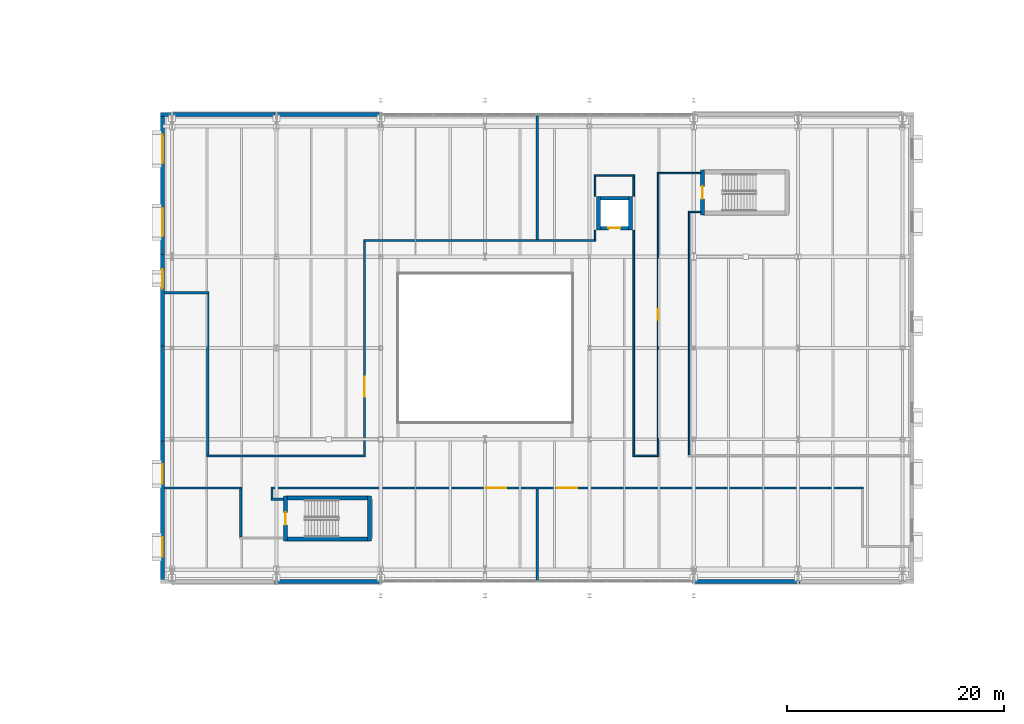
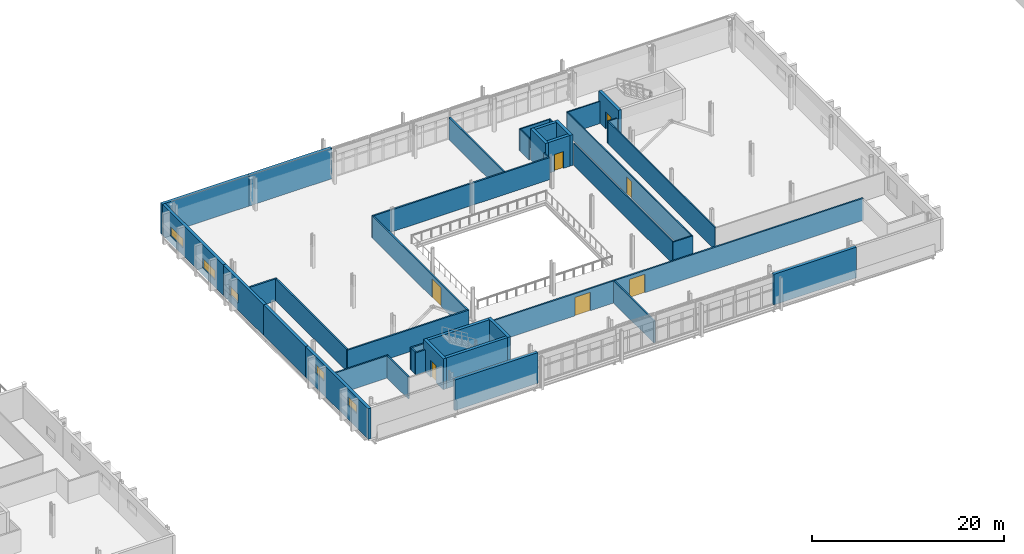
# One storey, part 44 of 57: 39 walls, 7 doors, 5 windows, 12 openings.
"""IFC4 building model written with IfcOpenShell, lengths in metres."""

import ifcopenshell
import ifcopenshell.guid

model = None  # the IFC model being written
_history = None  # IfcOwnerHistory: only IFC2X3 demands one
_inside = {}  # id of a spatial element -> (the spatial element, [elements in it])
_under = {}  # id of a project, library or spatial element -> (it, [spatial elements below it])
_declared = {}  # id of a project -> (the project, [libraries it declares])
_typed = {}  # id of a type object -> (the type object, [elements of that type])
_made_of = {}  # id of a material, layer set ... -> (it, [elements and type objects made of it])


def new_model(schema):
    """Start an empty IFC model of exactly this schema.

    Asked for "IFC4X3", IfcOpenShell would pick the latest addendum, in which some entities
    have other attributes; the version numbers below select the first issue.
    IFC2X3 requires an IfcOwnerHistory on every rooted entity: one is made here for all.
    """
    global model, _history
    if schema == "IFC4X3":
        model = ifcopenshell.file(schema_version=(4, 3, 0, 0))
    else:
        model = ifcopenshell.file(schema=schema)
    _inside.clear()
    _under.clear()
    _declared.clear()
    _typed.clear()
    _made_of.clear()
    _history = None
    if model.schema == "IFC2X3":
        org = make("IfcOrganization", Name="unknown")
        user = make(
            "IfcPersonAndOrganization",
            ThePerson=make("IfcPerson", FamilyName="unknown"),
            TheOrganization=org,
        )
        app = make(
            "IfcApplication",
            ApplicationDeveloper=org,
            Version="unknown",
            ApplicationFullName="unknown",
            ApplicationIdentifier="unknown",
        )
        _history = make(
            "IfcOwnerHistory",
            OwningUser=user,
            OwningApplication=app,
            ChangeAction="ADDED",
            CreationDate=0,
        )
    return model


def make(cls, **values):
    """One entity of the class cls with the attributes given. An attribute that is None is left unset."""
    return model.create_entity(
        cls, **{name: value for name, value in values.items() if value is not None}
    )


def rooted(cls, **values):
    """An entity with a GlobalId (a new one), such as an element, a storey or a relation."""
    return make(cls, GlobalId=ifcopenshell.guid.new(), OwnerHistory=_history, **values)


def si_unit(unit_type, name, prefix=None):
    """IfcSIUnit, for example si_unit("LENGTHUNIT", "METRE", prefix="MILLI")."""
    return make("IfcSIUnit", UnitType=unit_type, Prefix=prefix, Name=name)


def assignment(units):
    """IfcUnitAssignment: the units of a project."""
    return None if units is None else make("IfcUnitAssignment", Units=units)


def point(xyz):
    """IfcCartesianPoint."""
    return None if xyz is None else make("IfcCartesianPoint", Coordinates=xyz)


def direction(xyz):
    """IfcDirection."""
    return None if xyz is None else make("IfcDirection", DirectionRatios=xyz)


def frame(location, z_axis=None, x_axis=None):
    """IfcAxis2Placement3D, a coordinate frame: its origin and axes. An axis left out is left unset."""
    return make(
        "IfcAxis2Placement3D",
        Location=point(location),
        Axis=direction(z_axis),
        RefDirection=direction(x_axis),
    )


def frame_2d(location, x_axis=None):
    """IfcAxis2Placement2D, a coordinate frame in the plane: its origin and x axis."""
    return make(
        "IfcAxis2Placement2D", Location=point(location), RefDirection=direction(x_axis)
    )


def origin():
    """The frame at (0, 0, 0) with its axes left unset."""
    return frame((0.0, 0.0, 0.0))


def place(relative_to, where):
    """IfcLocalPlacement: puts the frame where relative to a parent placement (None: the world)."""
    return make(
        "IfcLocalPlacement", PlacementRelTo=relative_to, RelativePlacement=where
    )


def context(
    kind, dimensions, precision=None, world=None, true_north=None, identifier=None
):
    """IfcGeometricRepresentationContext, for example the 3D "Model" context."""
    return make(
        "IfcGeometricRepresentationContext",
        ContextIdentifier=identifier,
        ContextType=kind,
        CoordinateSpaceDimension=dimensions,
        Precision=precision,
        WorldCoordinateSystem=world,
        TrueNorth=true_north,
    )


def subcontext(parent, identifier, kind, view, scale=None):
    """IfcGeometricRepresentationSubContext, for example "Body" below "Model"."""
    return make(
        "IfcGeometricRepresentationSubContext",
        ContextIdentifier=identifier,
        ContextType=kind,
        ParentContext=parent,
        TargetScale=scale,
        TargetView=view,
    )


def project(units=None, contexts=None):
    """IfcProject with its units and contexts."""
    return rooted(
        "IfcProject",
        Name="project",
        RepresentationContexts=contexts,
        UnitsInContext=assignment(units),
    )


def spatial(cls, under=None, at=None, **own):
    """A site, building, storey or space (cls), placed at a placement, below another one or the project."""
    s = rooted(cls, ObjectPlacement=at, **own)
    if under is not None:
        _under.setdefault(under.id(), (under, []))[1].append(s)
    return s


def profile(cls, at=None, kind="AREA", **sizes):
    """A parametric profile (cls). Its sizes go by their IFC names, for example OverallWidth=200.0."""
    return make(cls, ProfileType=kind, Position=at, **sizes)


def rectangle(**sizes):
    """IfcRectangleProfileDef."""
    return profile("IfcRectangleProfileDef", **sizes)


def extrude(swept, where, along, depth):
    """IfcExtrudedAreaSolid: the profile swept, set in the frame where, extruded along a direction by depth."""
    return make(
        "IfcExtrudedAreaSolid",
        SweptArea=swept,
        Position=where,
        ExtrudedDirection=direction(along),
        Depth=depth,
    )


def shape(context_of_items, identifier, shape_type, items):
    """IfcShapeRepresentation: the items that make up one representation, for example the "Body"."""
    return make(
        "IfcShapeRepresentation",
        ContextOfItems=context_of_items,
        RepresentationIdentifier=identifier,
        RepresentationType=shape_type,
        Items=items,
    )


def material(Name=None, Category=None):
    """IfcMaterial."""
    return make("IfcMaterial", Name=Name, Category=Category)


def layer(
    of_material, thickness, ventilated=None, Name=None, Category=None, Priority=None
):
    """IfcMaterialLayer: one layer of a wall or slab, of a material (None: an air gap)."""
    return make(
        "IfcMaterialLayer",
        Material=of_material,
        LayerThickness=thickness,
        IsVentilated=ventilated,
        Name=Name,
        Category=Category,
        Priority=Priority,
    )


def layer_set(layers, Name=None):
    """IfcMaterialLayerSet."""
    return make("IfcMaterialLayerSet", MaterialLayers=layers, LayerSetName=Name)


def made_of(thing, what):
    """Note that an element or type object is made of a material, layer set ...; save() writes the relation."""
    if what is not None:
        _made_of.setdefault(what.id(), (what, []))[1].append(thing)
    return thing


def type_object(cls, material=None, **own):
    """A type object (cls), such as IfcWallType, which elements share."""
    return made_of(rooted(cls, **own), material)


def element(
    cls,
    number,
    at=None,
    inside=None,
    cuts=None,
    type_object=None,
    material=None,
    context=None,
    identifier="Body",
    shape_type=None,
    held_by="IfcProductDefinitionShape",
    body=None,
    shapes=None,
    **own,
):
    """One element of the class cls, such as IfcWall. Its Tag is "e" and its number.

    at: its placement. inside: the storey or other place that contains it. cuts: it is an
    opening in that element (IfcRelVoidsElement). A single representation is given by context,
    identifier, shape_type and body (its items); several are given by shapes. held_by: the class
    of the entity that holds the representations. save() writes the other relations.
    """
    e = rooted(cls, Tag="e%d" % number, ObjectPlacement=at, **own)
    if body is not None:
        shapes = [shape(context, identifier, shape_type, body)]
    if shapes is not None:
        e.Representation = make(held_by, Representations=shapes)
    if inside is not None:
        _inside.setdefault(inside.id(), (inside, []))[1].append(e)
    if cuts is not None:
        rooted(
            "IfcRelVoidsElement", RelatingBuildingElement=cuts, RelatedOpeningElement=e
        )
    if type_object is not None:
        _typed.setdefault(type_object.id(), (type_object, []))[1].append(e)
    return made_of(e, material)


def fill(opening, filler):
    """IfcRelFillsElement: the door or window that sits in an opening."""
    return rooted(
        "IfcRelFillsElement",
        RelatingOpeningElement=opening,
        RelatedBuildingElement=filler,
    )


def aggregate(whole, parts):
    """IfcRelAggregates: a whole, such as a stair, and the parts it consists of."""
    return rooted("IfcRelAggregates", RelatingObject=whole, RelatedObjects=parts)


def save(model, path):
    """Write the relations noted so far, then the file.

    IfcRelAggregates (storeys below a building ...), IfcRelContainedInSpatialStructure (elements
    in a storey), IfcRelDefinesByType, IfcRelAssociatesMaterial and IfcRelDeclares: one each for
    every whole, place, type object, material and project.
    """
    for whole, parts in _under.values():
        aggregate(whole, parts)
    for where, things in _inside.values():
        rooted(
            "IfcRelContainedInSpatialStructure",
            RelatedElements=things,
            RelatingStructure=where,
        )
    for kind, things in _typed.values():
        rooted("IfcRelDefinesByType", RelatedObjects=things, RelatingType=kind)
    for what, things in _made_of.values():
        rooted("IfcRelAssociatesMaterial", RelatedObjects=things, RelatingMaterial=what)
    for by, libraries in _declared.values():
        rooted("IfcRelDeclares", RelatingContext=by, RelatedDefinitions=libraries)
    model.write(path)


model = new_model("IFC4")

# Units and contexts
model_context = context("Model", 3, precision=1e-05, world=origin(), true_north=direction((0.0, 1.0)))
body_context = subcontext(model_context, "Body", "Model", "MODEL_VIEW")
ifc_project = project(units=[si_unit("LENGTHUNIT", "METRE"), si_unit("AREAUNIT", "SQUARE_METRE"), si_unit("VOLUMEUNIT", "CUBIC_METRE"), si_unit("PLANEANGLEUNIT", "RADIAN"), si_unit("MASSUNIT", "GRAM", prefix="KILO")], contexts=[model_context])

# Site, building, storey
site_placement = place(None, origin())
site = spatial("IfcSite", under=ifc_project, at=site_placement, CompositionType="ELEMENT")
building_placement = place(site_placement, origin())
building = spatial("IfcBuilding", under=site, at=building_placement, Name="Zereglee Splitstone Museum", CompositionType="ELEMENT")
storey_placement = place(building_placement, frame((0.0, 0.0, 17.10009765625)))
storey = spatial("IfcBuildingStorey", under=building, at=storey_placement, Name="L03", CompositionType="ELEMENT", Elevation=17.10009765625)

# Wall, opening, door
ifc_material_1 = material(Name="Concrete C45/55", Category="concrete")
ifc_layer_1 = layer(ifc_material_1, 0.360107421875)
ifc_layer_set_1 = layer_set([ifc_layer_1], Name="Concrete C45/55")
wall_type_1 = type_object("IfcWallType", Name="CSW-02", PredefinedType="SHEAR", material=ifc_layer_set_1)
wall_1_placement = place(storey_placement, frame((126.820068359375, 42.239990234375, 0.0), z_axis=(0.0, 0.0, 1.0), x_axis=(0.0, 1.0, 0.0)))
wall_1 = element("IfcWall", 1, at=wall_1_placement, inside=storey, type_object=wall_type_1, Name="Stair Core Shear Wall ST-03 L03 West", PredefinedType="SHEAR", context=body_context, shape_type="SweptSolid", body=[
    extrude(rectangle(XDim=4.1201171875, YDim=0.360107421875, at=frame_2d((2.06005859375, 0.0))), origin(), (0.0, 0.0, 1.0), 3.93994140625),
])
opening_1_placement = place(wall_1_placement, frame((1.485107421875, 0.0, 0.0)))
opening_1 = element("IfcOpeningElement", 2, at=opening_1_placement, cuts=wall_1, Name="Opening ID-03", PredefinedType="OPENING", context=body_context, shape_type="SweptSolid", body=[
    extrude(rectangle(XDim=1.14990234375, YDim=2.14990234375, at=frame_2d((0.574951171875, 1.074951171875))), frame((0.0, 0.19482421875, 0.0), z_axis=(0.0, -1.0, 0.0), x_axis=(1.0, 0.0, 0.0)), (0.0, 0.0, 1.0), 0.389892578125),
])
ifc_material_2 = material(Name="Fire-rated steel and Siberian larch leaf", Category="steel")
door_type_1 = type_object("IfcDoorType", Name="ID-03", OperationType="NOTDEFINED", PredefinedType="DOOR", material=ifc_material_2)
door_1_placement = place(opening_1_placement, origin())
door_1 = element("IfcDoor", 3, at=door_1_placement, inside=storey, type_object=door_type_1, Name="Protected Stair Fire Door ST-03 L03", OperationType="SINGLE_SWING_LEFT", OverallHeight=2.14990234375, OverallWidth=1.14990234375, PredefinedType="DOOR", context=body_context, shape_type="SweptSolid", body=[
    extrude(rectangle(XDim=1.14990234375, YDim=2.14990234375, at=frame_2d((0.574951171875, 1.074951171875))), frame((0.0, 0.02490234375, 0.0), z_axis=(0.0, -1.0, 0.0), x_axis=(1.0, 0.0, 0.0)), (0.0, 0.0, 1.0), 0.050048828125),
])
fill(opening_1, door_1)

wall_2_placement = place(storey_placement, frame((88.419921875, 12.239990234375, 0.0), z_axis=(0.0, 0.0, 1.0), x_axis=(0.0, 1.0, 0.0)))
wall_2 = element("IfcWall", 4, at=wall_2_placement, inside=storey, type_object=wall_type_1, Name="Stair Core Shear Wall ST-06 L03 West", PredefinedType="SHEAR", context=body_context, shape_type="SweptSolid", body=[
    extrude(rectangle(XDim=4.1201171875, YDim=0.360107421875, at=frame_2d((2.06005859375, 0.0))), origin(), (0.0, 0.0, 1.0), 3.93994140625),
])
opening_2_placement = place(wall_2_placement, frame((1.485107421875, 0.0, 0.0)))
opening_2 = element("IfcOpeningElement", 5, at=opening_2_placement, cuts=wall_2, Name="Opening ID-03", PredefinedType="OPENING", context=body_context, shape_type="SweptSolid", body=[
    extrude(rectangle(XDim=1.14990234375, YDim=2.14990234375, at=frame_2d((0.574951171875, 1.074951171875))), frame((0.0, 0.19482421875, 0.0), z_axis=(0.0, -1.0, 0.0), x_axis=(1.0, 0.0, 0.0)), (0.0, 0.0, 1.0), 0.389892578125),
])
door_2_placement = place(opening_2_placement, origin())
door_2 = element("IfcDoor", 6, at=door_2_placement, inside=storey, type_object=door_type_1, Name="Protected Stair Fire Door ST-06 L03", OperationType="SINGLE_SWING_LEFT", OverallHeight=2.14990234375, OverallWidth=1.14990234375, PredefinedType="DOOR", context=body_context, shape_type="SweptSolid", body=[
    extrude(rectangle(XDim=1.14990234375, YDim=2.14990234375, at=frame_2d((0.574951171875, 1.074951171875))), frame((0.0, 0.02490234375, 0.0), z_axis=(0.0, -1.0, 0.0), x_axis=(1.0, 0.0, 0.0)), (0.0, 0.0, 1.0), 0.050048828125),
])
fill(opening_2, door_2)

# Walls
wall_3_placement = place(storey_placement, frame((96.179931640625, 12.239990234375, 0.0), z_axis=(0.0, 0.0, 1.0), x_axis=(0.0, 1.0, 0.0)))
element("IfcWall", 7, at=wall_3_placement, inside=storey, type_object=wall_type_1, Name="Stair Core Shear Wall ST-06 L03 East", PredefinedType="SHEAR", context=body_context, shape_type="SweptSolid", body=[
    extrude(rectangle(XDim=4.1201171875, YDim=0.360107421875, at=frame_2d((2.06005859375, 0.0))), origin(), (0.0, 0.0, 1.0), 3.93994140625),
])
for number, where, z_axis, x_axis, name in (
    (8, (88.60009765625, 16.179931640625, 0.0), (0.0, 0.0, 1.0), (1.0, 0.0, 0.0), "Stair Core Shear Wall ST-06 L03 North"),
    (9, (88.60009765625, 12.419921875, 0.0), (0.0, 0.0, 1.0), (1.0, 0.0, 0.0), "Stair Core Shear Wall ST-06 L03 South"),
):
    element("IfcWall", number, at=place(storey_placement, frame(where, z_axis=z_axis, x_axis=x_axis)), inside=storey, type_object=wall_type_1, Name=name, PredefinedType="SHEAR", context=body_context, shape_type="SweptSolid", body=[
        extrude(rectangle(XDim=7.39990234375, YDim=0.360107421875, at=frame_2d((3.699951171875, 0.0))), origin(), (0.0, 0.0, 1.0), 3.93994140625),
    ])
wall_4_placement = place(storey_placement, frame((117.39990234375, 43.780029296875, 0.0), z_axis=(0.0, 0.0, 1.0), x_axis=(1.0, 0.0, 0.0)))
element("IfcWall", 10, at=wall_4_placement, inside=storey, type_object=wall_type_1, Name="Lift Shaft Wall PL-02 L03 North", PredefinedType="SHEAR", context=body_context, shape_type="SweptSolid", body=[
    extrude(rectangle(XDim=2.60009765625, YDim=0.360107421875, at=frame_2d((1.300048828125, 0.0))), origin(), (0.0, 0.0, 1.0), 3.93994140625),
])

# Wall, opening, door
wall_5_placement = place(storey_placement, frame((117.39990234375, 41.02001953125, 0.0), z_axis=(0.0, 0.0, 1.0), x_axis=(1.0, 0.0, 0.0)))
wall_5 = element("IfcWall", 11, at=wall_5_placement, inside=storey, type_object=wall_type_1, Name="Lift Shaft Wall PL-02 L03 South", PredefinedType="SHEAR", context=body_context, shape_type="SweptSolid", body=[
    extrude(rectangle(XDim=2.60009765625, YDim=0.360107421875, at=frame_2d((1.300048828125, 0.0))), origin(), (0.0, 0.0, 1.0), 3.93994140625),
])
opening_3_placement = place(wall_5_placement, frame((0.75, 0.0, 0.0)))
opening_3 = element("IfcOpeningElement", 12, at=opening_3_placement, cuts=wall_5, Name="Opening LD-01", PredefinedType="OPENING", context=body_context, shape_type="SweptSolid", body=[
    extrude(rectangle(XDim=1.10009765625, YDim=2.14990234375, at=frame_2d((0.550048828125, 1.074951171875))), frame((0.0, 0.19482421875, 0.0), z_axis=(0.0, -1.0, 0.0), x_axis=(1.0, 0.0, 0.0)), (0.0, 0.0, 1.0), 0.389892578125),
])
door_type_2 = type_object("IfcDoorType", Name="LD-01", OperationType="DOUBLE_DOOR_SLIDING", PredefinedType="DOOR", material=ifc_material_2)
door_3_placement = place(opening_3_placement, origin())
door_3 = element("IfcDoor", 13, at=door_3_placement, inside=storey, type_object=door_type_2, Name="Lift Landing Sliding Door PL-02 L03", OperationType="DOUBLE_DOOR_SLIDING", OverallHeight=2.14990234375, OverallWidth=1.10009765625, PredefinedType="DOOR", context=body_context, shape_type="SweptSolid", body=[
    extrude(rectangle(XDim=1.10009765625, YDim=2.14990234375, at=frame_2d((0.550048828125, 1.074951171875))), frame((0.0, 0.02490234375, 0.0), z_axis=(0.0, -1.0, 0.0), x_axis=(1.0, 0.0, 0.0)), (0.0, 0.0, 1.0), 0.050048828125),
])
fill(opening_3, door_3)

# Walls
for number, where, z_axis, x_axis, name in (
    (14, (117.219970703125, 40.840087890625, 0.0), (0.0, 0.0, 1.0), (0.0, 1.0, 0.0), "Lift Shaft Wall PL-02 L03 West"),
    (15, (120.179931640625, 40.840087890625, 0.0), (0.0, 0.0, 1.0), (0.0, 1.0, 0.0), "Lift Shaft Wall PL-02 L03 East"),
):
    element("IfcWall", number, at=place(storey_placement, frame(where, z_axis=z_axis, x_axis=x_axis)), inside=storey, type_object=wall_type_1, Name=name, PredefinedType="SHEAR", context=body_context, shape_type="SweptSolid", body=[
        extrude(rectangle(XDim=3.119873046875, YDim=0.360107421875, at=frame_2d((1.56005859375, 0.0))), origin(), (0.0, 0.0, 1.0), 3.93994140625),
    ])

# Wall, openings, windows
ifc_material_3 = material(Name="Precast concrete C40/50", Category="concrete")
ifc_layer_2 = layer(ifc_material_3, 0.35009765625)
ifc_layer_set_2 = layer_set([ifc_layer_2], Name="Precast concrete C40/50")
wall_type_2 = type_object("IfcWallType", Name="EW-01", PredefinedType="STANDARD", material=ifc_layer_set_2)
wall_6_placement = place(storey_placement, frame((77.1201171875, 51.659912109375, 0.0), z_axis=(0.0, 0.0, 1.0), x_axis=(0.0, -1.0, 0.0)))
wall_6 = element("IfcWall", 16, at=wall_6_placement, inside=storey, type_object=wall_type_2, Name="Exterior Backup Wall RC4-EW-L03-0190", PredefinedType="STANDARD", context=body_context, shape_type="SweptSolid", body=[
    extrude(rectangle(XDim=13.43994140625, YDim=0.35009765625, at=frame_2d((6.719970703125, 0.0))), origin(), (0.0, 0.0, 1.0), 3.89990234375),
])
opening_4_placement = place(wall_6_placement, frame((2.06005859375, 0.0, 0.89990234375)))
opening_4 = element("IfcOpeningElement", 17, at=opening_4_placement, cuts=wall_6, Name="Opening EW-W14", PredefinedType="OPENING", context=body_context, shape_type="SweptSolid", body=[
    extrude(rectangle(XDim=2.60009765625, YDim=1.199951171875, at=frame_2d((1.300048828125, 0.60009765625))), frame((0.0, 0.18994140625, 0.0), z_axis=(0.0, -1.0, 0.0), x_axis=(1.0, 0.0, 0.0)), (0.0, 0.0, 1.0), 0.3798828125),
])
opening_5_placement = place(wall_6_placement, frame((8.780029296875, 0.0, 0.89990234375)))
opening_5 = element("IfcOpeningElement", 18, at=opening_5_placement, cuts=wall_6, Name="Opening EW-W14", PredefinedType="OPENING", context=body_context, shape_type="SweptSolid", body=[
    extrude(rectangle(XDim=2.60009765625, YDim=1.199951171875, at=frame_2d((1.300048828125, 0.60009765625))), frame((0.0, 0.18994140625, 0.0), z_axis=(0.0, -1.0, 0.0), x_axis=(1.0, 0.0, 0.0)), (0.0, 0.0, 1.0), 0.3798828125),
])
ifc_material_4 = material(Name="Thermally broken aluminium frame with triple low-e glazing", Category="aluminium")
window_type_1 = type_object("IfcWindowType", Name="EW-W14", PartitioningType="TRIPLE_PANEL_VERTICAL", PredefinedType="WINDOW", material=ifc_material_4)
window_1_placement = place(opening_4_placement, origin())
window_1 = element("IfcWindow", 19, at=window_1_placement, inside=storey, type_object=window_type_1, Name="Mughal Deep-Reveal Gallery Window L03-0125", OverallHeight=1.199951171875, OverallWidth=2.60009765625, PartitioningType="SINGLE_PANEL", PredefinedType="WINDOW", context=body_context, shape_type="SweptSolid", body=[
    extrude(rectangle(XDim=2.60009765625, YDim=1.199951171875, at=frame_2d((1.300048828125, 0.60009765625))), frame((0.0, 0.030029296875, 0.0), z_axis=(0.0, -1.0, 0.0), x_axis=(1.0, 0.0, 0.0)), (0.0, 0.0, 1.0), 0.06005859375),
])
fill(opening_4, window_1)
window_2_placement = place(opening_5_placement, origin())
window_2 = element("IfcWindow", 20, at=window_2_placement, inside=storey, type_object=window_type_1, Name="Mughal Deep-Reveal Gallery Window L03-0126", OverallHeight=1.199951171875, OverallWidth=2.60009765625, PartitioningType="SINGLE_PANEL", PredefinedType="WINDOW", context=body_context, shape_type="SweptSolid", body=[
    extrude(rectangle(XDim=2.60009765625, YDim=1.199951171875, at=frame_2d((1.300048828125, 0.60009765625))), frame((0.0, 0.030029296875, 0.0), z_axis=(0.0, -1.0, 0.0), x_axis=(1.0, 0.0, 0.0)), (0.0, 0.0, 1.0), 0.06005859375),
])
fill(opening_5, window_2)

# Wall, opening, window
wall_7_placement = place(storey_placement, frame((77.1201171875, 38.580078125, 0.0), z_axis=(0.0, 0.0, 1.0), x_axis=(0.0, -1.0, 0.0)))
wall_7 = element("IfcWall", 21, at=wall_7_placement, inside=storey, type_object=wall_type_2, Name="Exterior Backup Wall RC4-EW-L03-0191", PredefinedType="STANDARD", context=body_context, shape_type="SweptSolid", body=[
    extrude(rectangle(XDim=8.760009765625, YDim=0.35009765625, at=frame_2d((4.3798828125, 0.0))), origin(), (0.0, 0.0, 1.0), 3.89990234375),
])
opening_6_placement = place(wall_7_placement, frame((1.31494140625, 0.0, 0.89990234375)))
opening_6 = element("IfcOpeningElement", 22, at=opening_6_placement, cuts=wall_7, Name="Opening EW-W12", PredefinedType="OPENING", context=body_context, shape_type="SweptSolid", body=[
    extrude(rectangle(XDim=1.800048828125, YDim=1.10009765625, at=frame_2d((0.89990234375, 0.550048828125))), frame((0.0, 0.18994140625, 0.0), z_axis=(0.0, -1.0, 0.0), x_axis=(1.0, 0.0, 0.0)), (0.0, 0.0, 1.0), 0.3798828125),
])
window_type_2 = type_object("IfcWindowType", Name="EW-W12", PartitioningType="DOUBLE_PANEL_HORIZONTAL", PredefinedType="WINDOW", material=ifc_material_4)
window_3_placement = place(opening_6_placement, origin())
window_3 = element("IfcWindow", 23, at=window_3_placement, inside=storey, type_object=window_type_2, Name="Mughal Deep-Reveal Gallery Window L03-0127", OverallHeight=1.10009765625, OverallWidth=1.800048828125, PartitioningType="SINGLE_PANEL", PredefinedType="WINDOW", context=body_context, shape_type="SweptSolid", body=[
    extrude(rectangle(XDim=1.800048828125, YDim=1.10009765625, at=frame_2d((0.89990234375, 0.550048828125))), frame((0.0, 0.030029296875, 0.0), z_axis=(0.0, -1.0, 0.0), x_axis=(1.0, 0.0, 0.0)), (0.0, 0.0, 1.0), 0.06005859375),
])
fill(opening_6, window_3)

# Wall
wall_8_placement = place(storey_placement, frame((77.1201171875, 30.179931640625, 0.0), z_axis=(0.0, 0.0, 1.0), x_axis=(0.0, -1.0, 0.0)))
element("IfcWall", 24, at=wall_8_placement, inside=storey, type_object=wall_type_2, Name="Exterior Backup Wall RC4-EW-L03-0192", PredefinedType="STANDARD", context=body_context, shape_type="SweptSolid", body=[
    extrude(rectangle(XDim=8.760009765625, YDim=0.35009765625, at=frame_2d((4.3798828125, 0.0))), origin(), (0.0, 0.0, 1.0), 3.89990234375),
])

# Wall, openings, windows
wall_9_placement = place(storey_placement, frame((77.1201171875, 21.780029296875, 0.0), z_axis=(0.0, 0.0, 1.0), x_axis=(0.0, -1.0, 0.0)))
wall_9 = element("IfcWall", 25, at=wall_9_placement, inside=storey, type_object=wall_type_2, Name="Exterior Backup Wall RC4-EW-L03-0193", PredefinedType="STANDARD", context=body_context, shape_type="SweptSolid", body=[
    extrude(rectangle(XDim=13.43994140625, YDim=0.35009765625, at=frame_2d((6.719970703125, 0.0))), origin(), (0.0, 0.0, 1.0), 3.89990234375),
])
opening_7_placement = place(wall_9_placement, frame((2.4599609375, 0.0, 1.800048828125)))
opening_7 = element("IfcOpeningElement", 26, at=opening_7_placement, cuts=wall_9, Name="Opening EW-W12", PredefinedType="OPENING", context=body_context, shape_type="SweptSolid", body=[
    extrude(rectangle(XDim=1.800048828125, YDim=1.10009765625, at=frame_2d((0.89990234375, 0.550048828125))), frame((0.0, 0.18994140625, 0.0), z_axis=(0.0, -1.0, 0.0), x_axis=(1.0, 0.0, 0.0)), (0.0, 0.0, 1.0), 0.3798828125),
])
opening_8_placement = place(wall_9_placement, frame((9.179931640625, 0.0, 1.800048828125)))
opening_8 = element("IfcOpeningElement", 27, at=opening_8_placement, cuts=wall_9, Name="Opening EW-W12", PredefinedType="OPENING", context=body_context, shape_type="SweptSolid", body=[
    extrude(rectangle(XDim=1.800048828125, YDim=1.10009765625, at=frame_2d((0.89990234375, 0.550048828125))), frame((0.0, 0.18994140625, 0.0), z_axis=(0.0, -1.0, 0.0), x_axis=(1.0, 0.0, 0.0)), (0.0, 0.0, 1.0), 0.3798828125),
])
window_4_placement = place(opening_7_placement, origin())
window_4 = element("IfcWindow", 28, at=window_4_placement, inside=storey, type_object=window_type_2, Name="Mughal Deep-Reveal Gallery Window L03-0128", OverallHeight=1.10009765625, OverallWidth=1.800048828125, PartitioningType="SINGLE_PANEL", PredefinedType="WINDOW", context=body_context, shape_type="SweptSolid", body=[
    extrude(rectangle(XDim=1.800048828125, YDim=1.10009765625, at=frame_2d((0.89990234375, 0.550048828125))), frame((0.0, 0.030029296875, 0.0), z_axis=(0.0, -1.0, 0.0), x_axis=(1.0, 0.0, 0.0)), (0.0, 0.0, 1.0), 0.06005859375),
])
fill(opening_7, window_4)
window_5_placement = place(opening_8_placement, origin())
window_5 = element("IfcWindow", 29, at=window_5_placement, inside=storey, type_object=window_type_2, Name="Mughal Deep-Reveal Gallery Window L03-0129", OverallHeight=1.10009765625, OverallWidth=1.800048828125, PartitioningType="SINGLE_PANEL", PredefinedType="WINDOW", context=body_context, shape_type="SweptSolid", body=[
    extrude(rectangle(XDim=1.800048828125, YDim=1.10009765625, at=frame_2d((0.89990234375, 0.550048828125))), frame((0.0, 0.030029296875, 0.0), z_axis=(0.0, -1.0, 0.0), x_axis=(1.0, 0.0, 0.0)), (0.0, 0.0, 1.0), 0.06005859375),
])
fill(opening_8, window_5)

# Walls
for number, where, z_axis, x_axis, name in (
    (30, (87.419921875, 8.52001953125, 0.0), (0.0, 0.0, 1.0), (1.0, 0.0, 0.0), "Exterior Backup Wall RC4-EW-L03-0195"),
    (31, (125.820068359375, 8.52001953125, 0.0), (0.0, 0.0, 1.0), (1.0, 0.0, 0.0), "Exterior Backup Wall RC4-EW-L03-0196"),
    (32, (97.3798828125, 51.47998046875, 0.0), (0.0, 0.0, 1.0), (-1.0, 0.0, 0.0), "Exterior Backup Wall RC4-EW-L03-0204"),
):
    element("IfcWall", number, at=place(storey_placement, frame(where, z_axis=z_axis, x_axis=x_axis)), inside=storey, type_object=wall_type_2, Name=name, PredefinedType="STANDARD", context=body_context, shape_type="SweptSolid", body=[
        extrude(rectangle(XDim=9.9599609375, YDim=0.35009765625, at=frame_2d((4.97998046875, 0.0))), origin(), (0.0, 0.0, 1.0), 3.89990234375),
    ])
wall_10_placement = place(storey_placement, frame((87.780029296875, 51.47998046875, 0.0), z_axis=(0.0, 0.0, 1.0), x_axis=(-1.0, 0.0, 0.0)))
element("IfcWall", 33, at=wall_10_placement, inside=storey, type_object=wall_type_2, Name="Exterior Backup Wall RC4-EW-L03-0205", PredefinedType="STANDARD", context=body_context, shape_type="SweptSolid", body=[
    extrude(rectangle(XDim=10.840087890625, YDim=0.35009765625, at=frame_2d((5.419921875, 0.0))), origin(), (0.0, 0.0, 1.0), 3.89990234375),
])
ifc_material_5 = material(Name="Fire-rated gypsum board partition", Category="masonry")
ifc_layer_3 = layer(ifc_material_5, 0.139892578125)
ifc_layer_set_3 = layer_set([ifc_layer_3], Name="Fire-rated gypsum board partition")
wall_type_3 = type_object("IfcWallType", Name="IW-05", PredefinedType="PARTITIONING", material=ifc_layer_set_3)
wall_11_placement = place(storey_placement, frame((120.409912109375, 20.080078125, 0.0), z_axis=(0.0, 0.0, 1.0), x_axis=(1.0, 0.0, 0.0)))
element("IfcWall", 34, at=wall_11_placement, inside=storey, type_object=wall_type_3, Name="Interior Partition L03-0582 (Research Reading Room)", PredefinedType="PARTITIONING", context=body_context, shape_type="SweptSolid", body=[
    extrude(rectangle(XDim=2.380126953125, YDim=0.139892578125, at=frame_2d((1.18994140625, 0.0))), origin(), (0.0, 0.0, 1.0), 2.81982421875),
])
wall_12_placement = place(storey_placement, frame((125.510009765625, 42.52001953125, 0.0), z_axis=(0.0, 0.0, 1.0), x_axis=(1.0, 0.0, 0.0)))
element("IfcWall", 35, at=wall_12_placement, inside=storey, type_object=wall_type_3, Name="Interior Partition L03-0589 (Research Reading Room)", PredefinedType="PARTITIONING", context=body_context, shape_type="SweptSolid", body=[
    extrude(rectangle(XDim=1.1298828125, YDim=0.139892578125, at=frame_2d((0.56494140625, 0.0))), origin(), (0.0, 0.0, 1.0), 2.81982421875),
])
wall_13_placement = place(storey_placement, frame((116.85009765625, 45.8798828125, 0.0), z_axis=(0.0, 0.0, 1.0), x_axis=(1.0, 0.0, 0.0)))
element("IfcWall", 36, at=wall_13_placement, inside=storey, type_object=wall_type_3, Name="Interior Partition L03-0590 (Research Reading Room)", PredefinedType="PARTITIONING", context=body_context, shape_type="SweptSolid", body=[
    extrude(rectangle(XDim=3.699951171875, YDim=0.139892578125, at=frame_2d((1.85009765625, 0.0))), origin(), (0.0, 0.0, 1.0), 2.81982421875),
])
wall_14_placement = place(storey_placement, frame((122.64990234375, 46.080078125, 0.0), z_axis=(0.0, 0.0, 1.0), x_axis=(1.0, 0.0, 0.0)))
element("IfcWall", 37, at=wall_14_placement, inside=storey, type_object=wall_type_3, Name="Interior Partition L03-0591 (Research Reading Room)", PredefinedType="PARTITIONING", context=body_context, shape_type="SweptSolid", body=[
    extrude(rectangle(XDim=3.989990234375, YDim=0.139892578125, at=frame_2d((1.9951171875, 0.0))), origin(), (0.0, 0.0, 1.0), 2.81982421875),
])
wall_15_placement = place(storey_placement, frame((116.919921875, 39.97509765625, 0.0), z_axis=(0.0, 0.0, 1.0), x_axis=(0.0, 1.0, 0.0)))
element("IfcWall", 38, at=wall_15_placement, inside=storey, type_object=wall_type_3, Name="Interior Partition L03-0614 (Research Reading Room)", PredefinedType="PARTITIONING", context=body_context, shape_type="SweptSolid", body=[
    extrude(rectangle(XDim=0.864990234375, YDim=0.139892578125, at=frame_2d((0.4326171875, 0.0))), origin(), (0.0, 0.0, 1.0), 2.81982421875),
])
wall_16_placement = place(storey_placement, frame((116.919921875, 43.9599609375, 0.0), z_axis=(0.0, 0.0, 1.0), x_axis=(0.0, 1.0, 0.0)))
element("IfcWall", 39, at=wall_16_placement, inside=storey, type_object=wall_type_3, Name="Interior Partition L03-0615 (Research Reading Room)", PredefinedType="PARTITIONING", context=body_context, shape_type="SweptSolid", body=[
    extrude(rectangle(XDim=1.85009765625, YDim=0.139892578125, at=frame_2d((0.925048828125, 0.0))), origin(), (0.0, 0.0, 1.0), 2.81982421875),
])
wall_17_placement = place(storey_placement, frame((120.47998046875, 20.14990234375, 0.0), z_axis=(0.0, 0.0, 1.0), x_axis=(0.0, 1.0, 0.0)))
element("IfcWall", 40, at=wall_17_placement, inside=storey, type_object=wall_type_3, Name="Interior Partition L03-0616 (Research Reading Room)", PredefinedType="PARTITIONING", context=body_context, shape_type="SweptSolid", body=[
    extrude(rectangle(XDim=20.690185546875, YDim=0.139892578125, at=frame_2d((10.34521484375, 0.0))), origin(), (0.0, 0.0, 1.0), 2.81982421875),
])
wall_18_placement = place(storey_placement, frame((120.47998046875, 43.9599609375, 0.0), z_axis=(0.0, 0.0, 1.0), x_axis=(0.0, 1.0, 0.0)))
element("IfcWall", 41, at=wall_18_placement, inside=storey, type_object=wall_type_3, Name="Interior Partition L03-0617 (Research Reading Room)", PredefinedType="PARTITIONING", context=body_context, shape_type="SweptSolid", body=[
    extrude(rectangle(XDim=1.85009765625, YDim=0.139892578125, at=frame_2d((0.925048828125, 0.0))), origin(), (0.0, 0.0, 1.0), 2.81982421875),
])

# Wall, opening, door
wall_19_placement = place(storey_placement, frame((122.719970703125, 20.14990234375, 0.0), z_axis=(0.0, 0.0, 1.0), x_axis=(0.0, 1.0, 0.0)))
wall_19 = element("IfcWall", 42, at=wall_19_placement, inside=storey, type_object=wall_type_3, Name="Interior Partition L03-0618 (Research Reading Room)", PredefinedType="PARTITIONING", context=body_context, shape_type="SweptSolid", body=[
    extrude(rectangle(XDim=25.860107421875, YDim=0.139892578125, at=frame_2d((12.93017578125, 0.0))), origin(), (0.0, 0.0, 1.0), 2.81982421875),
])
opening_9_placement = place(wall_19_placement, frame((12.429931640625, 0.0, 0.0)))
opening_9 = element("IfcOpeningElement", 43, at=opening_9_placement, cuts=wall_19, Name="Opening ID-10", PredefinedType="OPENING", context=body_context, shape_type="SweptSolid", body=[
    extrude(rectangle(XDim=1.0, YDim=2.14990234375, at=frame_2d((0.5, 1.074951171875))), frame((0.0, 0.0849609375, 0.0), z_axis=(0.0, -1.0, 0.0), x_axis=(1.0, 0.0, 0.0)), (0.0, 0.0, 1.0), 0.169677734375),
])
ifc_material_6 = material(Name="Siberian larch acoustic timber leaf in bronze-steel frame", Category="steel")
door_type_3 = type_object("IfcDoorType", Name="ID-10", OperationType="NOTDEFINED", PredefinedType="DOOR", material=ifc_material_6)
door_4_placement = place(opening_9_placement, origin())
door_4 = element("IfcDoor", 44, at=door_4_placement, inside=storey, type_object=door_type_3, Name="Interior Door L03-0103 (Research Reading Room)", OperationType="SINGLE_SWING_RIGHT", OverallHeight=2.14990234375, OverallWidth=1.0, PredefinedType="DOOR", context=body_context, shape_type="SweptSolid", body=[
    extrude(rectangle(XDim=1.0, YDim=2.14990234375, at=frame_2d((0.5, 1.074951171875))), frame((0.0, 0.02490234375, 0.0), z_axis=(0.0, -1.0, 0.0), x_axis=(1.0, 0.0, 0.0)), (0.0, 0.0, 1.0), 0.050048828125),
])
fill(opening_9, door_4)

# Walls
wall_20_placement = place(storey_placement, frame((125.580078125, 20.14990234375, 0.0), z_axis=(0.0, 0.0, 1.0), x_axis=(0.0, 1.0, 0.0)))
element("IfcWall", 45, at=wall_20_placement, inside=storey, type_object=wall_type_3, Name="Interior Partition L03-0619 (Research Reading Room)", PredefinedType="PARTITIONING", context=body_context, shape_type="SweptSolid", body=[
    extrude(rectangle(XDim=22.300048828125, YDim=0.139892578125, at=frame_2d((11.14990234375, 0.0))), origin(), (0.0, 0.0, 1.0), 2.81982421875),
])
ifc_material_7 = material(Name="Gypsum board on acoustic steel stud", Category="steel")
ifc_layer_4 = layer(ifc_material_7, 0.18994140625)
ifc_layer_set_4 = layer_set([ifc_layer_4], Name="Gypsum board on acoustic steel stud")
wall_type_4 = type_object("IfcWallType", Name="IW-02", PredefinedType="PARTITIONING", material=ifc_layer_set_4)
wall_21_placement = place(storey_placement, frame((87.0849609375, 16.080078125, 0.0), z_axis=(0.0, 0.0, 1.0), x_axis=(1.0, 0.0, 0.0)))
element("IfcWall", 46, at=wall_21_placement, inside=storey, type_object=wall_type_4, Name="Interior Partition L03-0571 (Gobi Mineralogy Gallery)", PredefinedType="PARTITIONING", context=body_context, shape_type="SweptSolid", body=[
    extrude(rectangle(XDim=1.155029296875, YDim=0.18994140625, at=frame_2d((0.57763671875, 0.0))), origin(), (0.0, 0.0, 1.0), 2.81982421875),
])
wall_22_placement = place(storey_placement, frame((77.294921875, 17.1201171875, 0.0), z_axis=(0.0, 0.0, 1.0), x_axis=(1.0, 0.0, 0.0)))
element("IfcWall", 47, at=wall_22_placement, inside=storey, type_object=wall_type_4, Name="Interior Partition L03-0577 (Gobi Mineralogy Gallery)", PredefinedType="PARTITIONING", context=body_context, shape_type="SweptSolid", body=[
    extrude(rectangle(XDim=7.1201171875, YDim=0.18994140625, at=frame_2d((3.56005859375, 0.0))), origin(), (0.0, 0.0, 1.0), 2.81982421875),
])

# Wall, openings, doors
wall_23_placement = place(storey_placement, frame((87.0849609375, 17.1201171875, 0.0), z_axis=(0.0, 0.0, 1.0), x_axis=(1.0, 0.0, 0.0)))
wall_23 = element("IfcWall", 48, at=wall_23_placement, inside=storey, type_object=wall_type_4, Name="Interior Partition L03-0578 (Gobi Mineralogy Gallery)", PredefinedType="PARTITIONING", context=body_context, shape_type="SweptSolid", body=[
    extrude(rectangle(XDim=54.530029296875, YDim=0.18994140625, at=frame_2d((27.26513671875, 0.0))), origin(), (0.0, 0.0, 1.0), 2.81982421875),
])
opening_10_placement = place(wall_23_placement, frame((19.79638671875, 0.0, 0.0)))
opening_10 = element("IfcOpeningElement", 49, at=opening_10_placement, cuts=wall_23, Name="Opening ID-02", PredefinedType="OPENING", context=body_context, shape_type="SweptSolid", body=[
    extrude(rectangle(XDim=1.85009765625, YDim=2.35009765625, at=frame_2d((0.925048828125, 1.175048828125))), frame((0.0, 0.10986328125, 0.0), z_axis=(0.0, -1.0, 0.0), x_axis=(1.0, 0.0, 0.0)), (0.0, 0.0, 1.0), 0.2197265625),
])
opening_11_placement = place(wall_23_placement, frame((26.340087890625, 0.0, 0.0)))
opening_11 = element("IfcOpeningElement", 50, at=opening_11_placement, cuts=wall_23, Name="Opening ID-02", PredefinedType="OPENING", context=body_context, shape_type="SweptSolid", body=[
    extrude(rectangle(XDim=1.85009765625, YDim=2.35009765625, at=frame_2d((0.925048828125, 1.175048828125))), frame((0.0, 0.10986328125, 0.0), z_axis=(0.0, -1.0, 0.0), x_axis=(1.0, 0.0, 0.0)), (0.0, 0.0, 1.0), 0.2197265625),
])
door_type_4 = type_object("IfcDoorType", Name="ID-02", OperationType="NOTDEFINED", PredefinedType="DOOR", material=ifc_material_2)
door_5_placement = place(opening_10_placement, frame((1.85009765625, 0.0, 0.0), z_axis=(0.0, 0.0, 1.0), x_axis=(-1.0, 0.0, 0.0)))
door_5 = element("IfcDoor", 51, at=door_5_placement, inside=storey, type_object=door_type_4, Name="Interior Door L03-0100 (Gobi Mineralogy Gallery)", OperationType="DOUBLE_DOOR_SINGLE_SWING", OverallHeight=2.35009765625, OverallWidth=1.85009765625, PredefinedType="DOOR", context=body_context, shape_type="SweptSolid", body=[
    extrude(rectangle(XDim=1.85009765625, YDim=2.35009765625, at=frame_2d((0.925048828125, 1.175048828125))), frame((0.0, 0.02490234375, 0.0), z_axis=(0.0, -1.0, 0.0), x_axis=(1.0, 0.0, 0.0)), (0.0, 0.0, 1.0), 0.050048828125),
])
fill(opening_10, door_5)
door_6_placement = place(opening_11_placement, frame((1.85009765625, 0.0, 0.0), z_axis=(0.0, 0.0, 1.0), x_axis=(-1.0, 0.0, 0.0)))
door_6 = element("IfcDoor", 52, at=door_6_placement, inside=storey, type_object=door_type_4, Name="Interior Door L03-0101 (Tectonic Earth Sciences Gallery)", OperationType="DOUBLE_DOOR_SINGLE_SWING", OverallHeight=2.35009765625, OverallWidth=1.85009765625, PredefinedType="DOOR", context=body_context, shape_type="SweptSolid", body=[
    extrude(rectangle(XDim=1.85009765625, YDim=2.35009765625, at=frame_2d((0.925048828125, 1.175048828125))), frame((0.0, 0.02490234375, 0.0), z_axis=(0.0, -1.0, 0.0), x_axis=(1.0, 0.0, 0.0)), (0.0, 0.0, 1.0), 0.050048828125),
])
fill(opening_11, door_6)

# Walls
wall_24_placement = place(storey_placement, frame((81.18505859375, 20.080078125, 0.0), z_axis=(0.0, 0.0, 1.0), x_axis=(1.0, 0.0, 0.0)))
element("IfcWall", 53, at=wall_24_placement, inside=storey, type_object=wall_type_4, Name="Interior Partition L03-0581 (Temporary Exhibition Gallery)", PredefinedType="PARTITIONING", context=body_context, shape_type="SweptSolid", body=[
    extrude(rectangle(XDim=14.6298828125, YDim=0.18994140625, at=frame_2d((7.31494140625, 0.0))), origin(), (0.0, 0.0, 1.0), 2.81982421875),
])
wall_25_placement = place(storey_placement, frame((77.294921875, 35.080078125, 0.0), z_axis=(0.0, 0.0, 1.0), x_axis=(1.0, 0.0, 0.0)))
element("IfcWall", 54, at=wall_25_placement, inside=storey, type_object=wall_type_4, Name="Interior Partition L03-0587 (Temporary Exhibition Gallery)", PredefinedType="PARTITIONING", context=body_context, shape_type="SweptSolid", body=[
    extrude(rectangle(XDim=4.080078125, YDim=0.18994140625, at=frame_2d((2.0400390625, 0.0))), origin(), (0.0, 0.0, 1.0), 2.81982421875),
])
wall_26_placement = place(storey_placement, frame((95.625, 39.8798828125, 0.0), z_axis=(0.0, 0.0, 1.0), x_axis=(1.0, 0.0, 0.0)))
element("IfcWall", 55, at=wall_26_placement, inside=storey, type_object=wall_type_4, Name="Interior Partition L03-0588 (Temporary Exhibition Gallery)", PredefinedType="PARTITIONING", context=body_context, shape_type="SweptSolid", body=[
    extrude(rectangle(XDim=21.364990234375, YDim=0.18994140625, at=frame_2d((10.6826171875, 0.0))), origin(), (0.0, 0.0, 1.0), 2.81982421875),
])
wall_27_placement = place(storey_placement, frame((81.280029296875, 20.175048828125, 0.0), z_axis=(0.0, 0.0, 1.0), x_axis=(0.0, 1.0, 0.0)))
element("IfcWall", 56, at=wall_27_placement, inside=storey, type_object=wall_type_4, Name="Interior Partition L03-0608 (Temporary Exhibition Gallery)", PredefinedType="PARTITIONING", context=body_context, shape_type="SweptSolid", body=[
    extrude(rectangle(XDim=14.81005859375, YDim=0.18994140625, at=frame_2d((7.405029296875, 0.0))), origin(), (0.0, 0.0, 1.0), 2.81982421875),
])
wall_28_placement = place(storey_placement, frame((84.320068359375, 12.614990234375, 0.0), z_axis=(0.0, 0.0, 1.0), x_axis=(0.0, 1.0, 0.0)))
element("IfcWall", 57, at=wall_28_placement, inside=storey, type_object=wall_type_4, Name="Interior Partition L03-0609 (Gobi Mineralogy Gallery)", PredefinedType="PARTITIONING", context=body_context, shape_type="SweptSolid", body=[
    extrude(rectangle(XDim=4.409912109375, YDim=0.18994140625, at=frame_2d((2.205078125, 0.0))), origin(), (0.0, 0.0, 1.0), 2.81982421875),
])
wall_29_placement = place(storey_placement, frame((87.179931640625, 16.175048828125, 0.0), z_axis=(0.0, 0.0, 1.0), x_axis=(0.0, 1.0, 0.0)))
element("IfcWall", 58, at=wall_29_placement, inside=storey, type_object=wall_type_4, Name="Interior Partition L03-0610 (Gobi Mineralogy Gallery)", PredefinedType="PARTITIONING", context=body_context, shape_type="SweptSolid", body=[
    extrude(rectangle(XDim=0.849853515625, YDim=0.18994140625, at=frame_2d((0.4248046875, 0.0))), origin(), (0.0, 0.0, 1.0), 2.81982421875),
])

# Wall, opening, door
wall_30_placement = place(storey_placement, frame((95.719970703125, 20.175048828125, 0.0), z_axis=(0.0, 0.0, 1.0), x_axis=(0.0, 1.0, 0.0)))
wall_30 = element("IfcWall", 59, at=wall_30_placement, inside=storey, type_object=wall_type_4, Name="Interior Partition L03-0611 (Temporary Exhibition Gallery)", PredefinedType="PARTITIONING", context=body_context, shape_type="SweptSolid", body=[
    extrude(rectangle(XDim=19.60986328125, YDim=0.18994140625, at=frame_2d((9.804931640625, 0.0))), origin(), (0.0, 0.0, 1.0), 2.81982421875),
])
opening_12_placement = place(wall_30_placement, frame((5.35009765625, 0.0, 0.0)))
opening_12 = element("IfcOpeningElement", 60, at=opening_12_placement, cuts=wall_30, Name="Opening ID-02", PredefinedType="OPENING", context=body_context, shape_type="SweptSolid", body=[
    extrude(rectangle(XDim=1.85009765625, YDim=2.35009765625, at=frame_2d((0.925048828125, 1.175048828125))), frame((0.0, 0.10986328125, 0.0), z_axis=(0.0, -1.0, 0.0), x_axis=(1.0, 0.0, 0.0)), (0.0, 0.0, 1.0), 0.2197265625),
])
door_7_placement = place(opening_12_placement, origin())
door_7 = element("IfcDoor", 61, at=door_7_placement, inside=storey, type_object=door_type_4, Name="Interior Door L03-0102 (Temporary Exhibition Gallery)", OperationType="DOUBLE_DOOR_SINGLE_SWING", OverallHeight=2.35009765625, OverallWidth=1.85009765625, PredefinedType="DOOR", context=body_context, shape_type="SweptSolid", body=[
    extrude(rectangle(XDim=1.85009765625, YDim=2.35009765625, at=frame_2d((0.925048828125, 1.175048828125))), frame((0.0, 0.02490234375, 0.0), z_axis=(0.0, -1.0, 0.0), x_axis=(1.0, 0.0, 0.0)), (0.0, 0.0, 1.0), 0.050048828125),
])
fill(opening_12, door_7)

# Walls
wall_31_placement = place(storey_placement, frame((111.60009765625, 8.610107421875, 0.0), z_axis=(0.0, 0.0, 1.0), x_axis=(0.0, 1.0, 0.0)))
element("IfcWall", 62, at=wall_31_placement, inside=storey, type_object=wall_type_4, Name="Interior Partition L03-0612 (Gobi Mineralogy Gallery)", PredefinedType="PARTITIONING", context=body_context, shape_type="SweptSolid", body=[
    extrude(rectangle(XDim=8.414794921875, YDim=0.18994140625, at=frame_2d((4.20751953125, 0.0))), origin(), (0.0, 0.0, 1.0), 2.81982421875),
])
wall_32_placement = place(storey_placement, frame((111.60009765625, 39.97509765625, 0.0), z_axis=(0.0, 0.0, 1.0), x_axis=(0.0, 1.0, 0.0)))
element("IfcWall", 63, at=wall_32_placement, inside=storey, type_object=wall_type_4, Name="Interior Partition L03-0613 (Temporary Exhibition Gallery)", PredefinedType="PARTITIONING", context=body_context, shape_type="SweptSolid", body=[
    extrude(rectangle(XDim=11.414794921875, YDim=0.18994140625, at=frame_2d((5.70751953125, 0.0))), origin(), (0.0, 0.0, 1.0), 2.81982421875),
])

save(model, "model.ifc")
